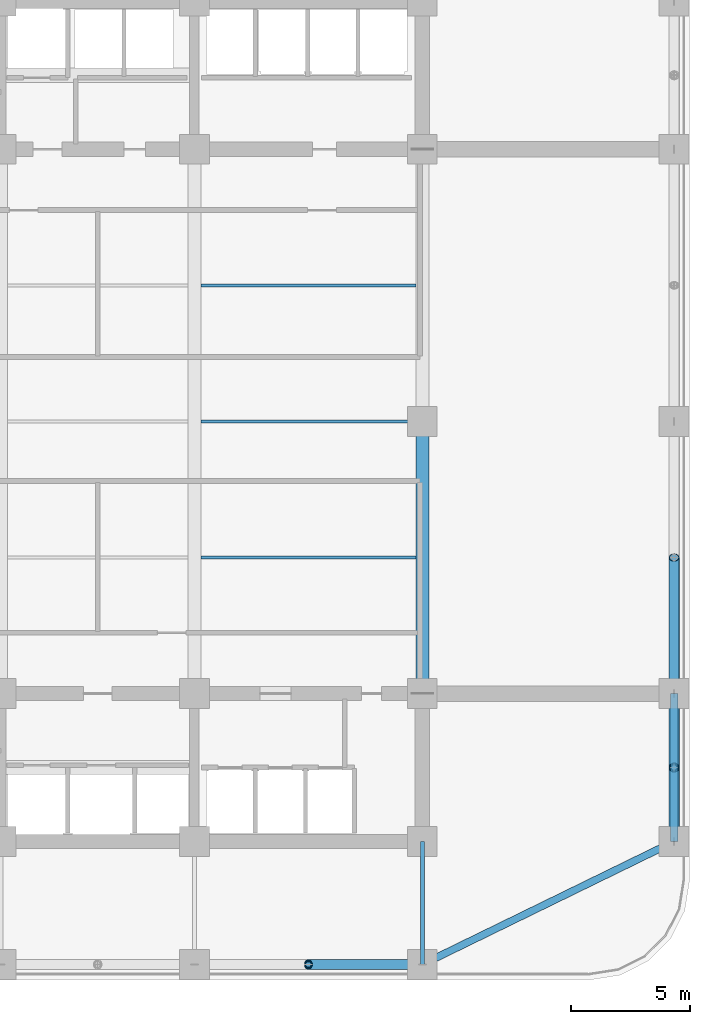
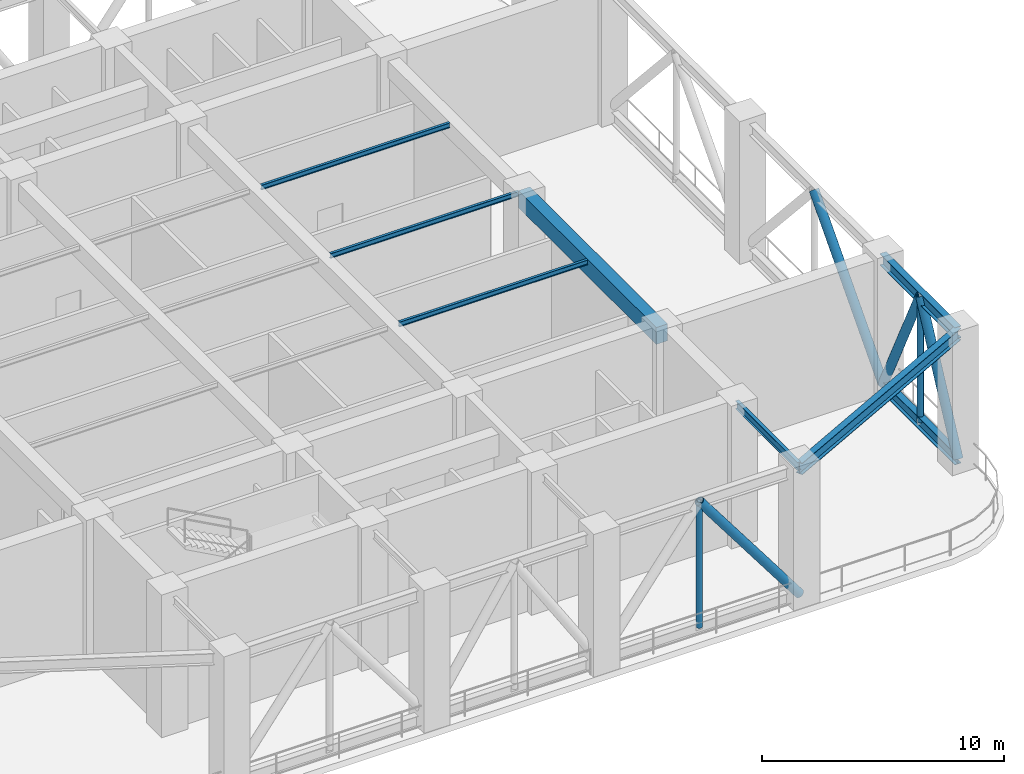
# One storey, part 6 of 20: 8 beams, 6 members.
"""IFC4 building model written with IfcOpenShell, lengths in metres."""

from ifc_helpers import new_model, si_unit, direction, frame, origin, origin_2d, place, context, subcontext, project, spatial, rectangle, hollow_circle, i_section, extrude, material, material_profile, profile_set, type_object, element, save


model = new_model("IFC4")

# Units and contexts
model_context = context("Model", 3, precision=1e-05, world=origin(), true_north=direction((0.0, 1.0)))
body_context = subcontext(model_context, "Body", "Model", "MODEL_VIEW")
ifc_project = project(units=[si_unit("LENGTHUNIT", "METRE"), si_unit("AREAUNIT", "SQUARE_METRE"), si_unit("VOLUMEUNIT", "CUBIC_METRE"), si_unit("PLANEANGLEUNIT", "RADIAN"), si_unit("MASSUNIT", "GRAM", prefix="KILO")], contexts=[model_context])

# Site, building, storey
site_placement = place(None, origin())
site = spatial("IfcSite", under=ifc_project, at=site_placement, CompositionType="ELEMENT")
building_placement = place(site_placement, origin())
building = spatial("IfcBuilding", under=site, at=building_placement, Name="Svetorya Sky Lyceum", CompositionType="ELEMENT")
storey_placement = place(building_placement, frame((0.0, 0.0, 76.89990234375)))
storey = spatial("IfcBuildingStorey", under=building, at=storey_placement, Name="L19", CompositionType="ELEMENT", Elevation=76.89990234375)

# Beams
ifc_material_1 = material(Name="Concrete C50/60", Category="concrete")
ifc_material_profile_1 = material_profile(ifc_material_1, rectangle(XDim=0.550048828125, YDim=0.85009765625, at=origin_2d()), Name="RC BEAM 550x850")
ifc_profile_set_1 = profile_set([ifc_material_profile_1], Name="Concrete C50/60")
beam_type_1 = type_object("IfcBeamType", Name="BM-RC-850", PredefinedType="BEAM", material=ifc_profile_set_1)
beam_1_placement = place(storey_placement, frame((52.800048828125, 16.800048828125, 6.4951171875), z_axis=(0.0, 1.0, 0.0), x_axis=(-1.0, 0.0, 0.0)))
element("IfcBeam", 1, at=beam_1_placement, inside=storey, type_object=beam_type_1, Name="L19 Central Bay Primary Girder CG-4A", PredefinedType="BEAM", context=body_context, shape_type="SweptSolid", body=[
    extrude(rectangle(XDim=0.550048828125, YDim=0.85009765625, at=origin_2d()), origin(), (0.0, 0.0, 1.0), 11.39990234375),
])
ifc_material_2 = material(Name="Steel S355", Category="steel")
ifc_material_profile_2 = material_profile(ifc_material_2, i_section(OverallWidth=0.1240234375, OverallDepth=0.248046875, WebThickness=0.006103515625, FlangeThickness=0.009521484375, at=origin_2d()), Name="GOST 25B2")
ifc_profile_set_2 = profile_set([ifc_material_profile_2], Name="Steel S355")
beam_type_2 = type_object("IfcBeamType", Name="BM-STL-25B2", PredefinedType="JOIST", material=ifc_profile_set_2)
for number, where, z_axis, x_axis, name in (
    (2, (43.52490234375, 22.5, 6.796142578125), (1.0, 0.0, 0.0), (0.0, 1.0, 0.0), "L19 Central Floor Joist CJ-1.3"),
    (3, (43.52490234375, 28.199951171875, 6.796142578125), (1.0, 0.0, 0.0), (0.0, 1.0, 0.0), "L19 Central Floor Joist CJ-2.3"),
    (4, (43.52490234375, 33.89990234375, 6.796142578125), (1.0, 0.0, 0.0), (0.0, 1.0, 0.0), "L19 Central Floor Joist CJ-3.3"),
):
    element("IfcBeam", number, at=place(storey_placement, frame(where, z_axis=z_axis, x_axis=x_axis)), inside=storey, type_object=beam_type_2, Name=name, PredefinedType="JOIST", context=body_context, shape_type="SweptSolid", body=[
        extrude(i_section(OverallWidth=0.1240234375, OverallDepth=0.248046875, WebThickness=0.006103515625, FlangeThickness=0.009521484375, at=origin_2d()), origin(), (0.0, 0.0, 1.0), 9.0),
    ])
ifc_material_profile_3 = material_profile(ifc_material_2, i_section(OverallWidth=0.1650390625, OverallDepth=0.39990234375, WebThickness=0.008056640625, FlangeThickness=0.012939453125, at=origin_2d()), Name="GOST 40B2")
ifc_profile_set_3 = profile_set([ifc_material_profile_3], Name="Steel S355")
beam_type_3 = type_object("IfcBeamType", Name="BM-STL-40B2", PredefinedType="JOIST", material=ifc_profile_set_3)
beam_2_placement = place(storey_placement, frame((52.800048828125, 5.449951171875, 6.72021484375), z_axis=(0.0, 1.0, 0.0), x_axis=(-1.0, 0.0, 0.0)))
element("IfcBeam", 5, at=beam_2_placement, inside=storey, type_object=beam_type_3, Name="L19 South Bay Floor Girder S4", PredefinedType="JOIST", context=body_context, shape_type="SweptSolid", body=[
    extrude(i_section(OverallWidth=0.1650390625, OverallDepth=0.39990234375, WebThickness=0.008056640625, FlangeThickness=0.012939453125, at=origin_2d()), origin(), (0.0, 0.0, 1.0), 5.150146484375),
])
ifc_material_profile_4 = material_profile(ifc_material_2, i_section(OverallWidth=0.304931640625, OverallDepth=0.590087890625, WebThickness=0.014892578125, FlangeThickness=0.02392578125, at=origin_2d()), Name="GOST 60Sh2")
ifc_profile_set_4 = profile_set([ifc_material_profile_4], Name="Steel S355")
beam_type_4 = type_object("IfcBeamType", Name="BM-STL-60SH2", PredefinedType="BEAM", material=ifc_profile_set_4)
for number, where, z_axis, x_axis, name in (
    (6, (63.35009765625, 10.60009765625, 0.295166015625), (0.0, 1.0, 0.0), (-1.0, 0.0, 0.0), "L19 Belt Truss Bottom Chord E-1"),
    (7, (63.35009765625, 10.60009765625, 6.625), (0.0, 1.0, 0.0), (-1.0, 0.0, 0.0), "L19 Belt Truss Top Chord E-1"),
):
    element("IfcBeam", number, at=place(storey_placement, frame(where, z_axis=z_axis, x_axis=x_axis)), inside=storey, type_object=beam_type_4, Name=name, PredefinedType="BEAM", context=body_context, shape_type="SweptSolid", body=[
        extrude(i_section(OverallWidth=0.304931640625, OverallDepth=0.590087890625, WebThickness=0.014892578125, FlangeThickness=0.02392578125, at=origin_2d()), origin(), (0.0, 0.0, 1.0), 6.199951171875),
    ])
beam_3_placement = place(storey_placement, frame((52.800048828125, 5.449951171875, 6.625), z_axis=(0.898641495694, 0.438683783854, 0.0), x_axis=(-0.438683783854, 0.898641495694, 0.0)))
element("IfcBeam", 8, at=beam_3_placement, inside=storey, type_object=beam_type_4, Name="L19 Belt Truss Corner Tie 2", PredefinedType="BEAM", context=body_context, shape_type="SweptSolid", body=[
    extrude(i_section(OverallWidth=0.304931640625, OverallDepth=0.590087890625, WebThickness=0.014892578125, FlangeThickness=0.02392578125, at=origin_2d()), origin(), (0.0, 0.0, 1.0), 11.739990234375),
])

# Members
ifc_material_profile_5 = material_profile(ifc_material_2, hollow_circle(Radius=0.212890625, WallThickness=0.01806640625, at=origin_2d()), Name="CHS 426x18")
ifc_profile_set_5 = profile_set([ifc_material_profile_5], Name="Steel S355")
member_type_1 = type_object("IfcMemberType", Name="MB-BRC-CHS426", PredefinedType="BRACE", material=ifc_profile_set_5)
member_1_placement = place(storey_placement, frame((52.800048828125, 5.449951171875, 0.295166015625), z_axis=(-0.602239222235, 0.0, 0.79831567641), x_axis=(0.0, -1.0, 0.0)))
element("IfcMember", 9, at=member_1_placement, inside=storey, type_object=member_type_1, Name="L19 Belt Truss Diagonal S-3B", PredefinedType="BRACE", context=body_context, shape_type="SweptSolid", body=[
    extrude(hollow_circle(Radius=0.212890625, WallThickness=0.01806640625, at=origin_2d()), origin(), (0.0, 0.0, 1.0), 7.928955078125),
])
member_2_placement = place(storey_placement, frame((63.35009765625, 10.60009765625, 0.295166015625), z_axis=(0.0, 0.439813284341, 0.898089235498), x_axis=(-1.0, 0.0, 0.0)))
element("IfcMember", 10, at=member_2_placement, inside=storey, type_object=member_type_1, Name="L19 Belt Truss Diagonal E-1A", PredefinedType="BRACE", context=body_context, shape_type="SweptSolid", body=[
    extrude(hollow_circle(Radius=0.212890625, WallThickness=0.01806640625, at=origin_2d()), origin(), (0.0, 0.0, 1.0), 7.048095703125),
])
member_3_placement = place(storey_placement, frame((63.35009765625, 16.800048828125, 0.295166015625), z_axis=(0.0, -0.439841222403, 0.898075553099), x_axis=(1.0, 0.0, 0.0)))
element("IfcMember", 11, at=member_3_placement, inside=storey, type_object=member_type_1, Name="L19 Belt Truss Diagonal E-1B", PredefinedType="BRACE", context=body_context, shape_type="SweptSolid", body=[
    extrude(hollow_circle(Radius=0.212890625, WallThickness=0.01806640625, at=origin_2d()), origin(), (0.0, 0.0, 1.0), 7.04833984375),
])
member_4_placement = place(storey_placement, frame((63.35009765625, 16.800048828125, 0.295166015625), z_axis=(0.0, 0.669165814425, 0.743113122482), x_axis=(-1.0, 0.0, 0.0)))
element("IfcMember", 12, at=member_4_placement, inside=storey, type_object=member_type_1, Name="L19 Belt Truss Diagonal E-2A", PredefinedType="BRACE", context=body_context, shape_type="SweptSolid", body=[
    extrude(hollow_circle(Radius=0.212890625, WallThickness=0.01806640625, at=origin_2d()), origin(), (0.0, 0.0, 1.0), 8.51806640625),
])
ifc_material_profile_6 = material_profile(ifc_material_2, hollow_circle(Radius=0.136474609375, WallThickness=0.011962890625, at=origin_2d()), Name="CHS 273x12")
ifc_profile_set_6 = profile_set([ifc_material_profile_6], Name="Steel S355")
member_type_2 = type_object("IfcMemberType", Name="MB-STR-CHS273", PredefinedType="STRUT", material=ifc_profile_set_6)
for number, where, z_axis, x_axis, name in (
    (13, (48.02490234375, 5.449951171875, 0.295166015625), (0.0, 0.0, 1.0), (1.0, 0.0, 0.0), "L19 Belt Truss Post S-3"),
    (14, (63.35009765625, 13.699951171875, 0.295166015625), (0.0, 0.0, 1.0), (1.0, 0.0, 0.0), "L19 Belt Truss Post E-1"),
):
    element("IfcMember", number, at=place(storey_placement, frame(where, z_axis=z_axis, x_axis=x_axis)), inside=storey, type_object=member_type_2, Name=name, PredefinedType="STRUT", context=body_context, shape_type="SweptSolid", body=[
        extrude(hollow_circle(Radius=0.136474609375, WallThickness=0.011962890625, at=origin_2d()), origin(), (0.0, 0.0, 1.0), 6.329833984375),
    ])

save(model, "model.ifc")
